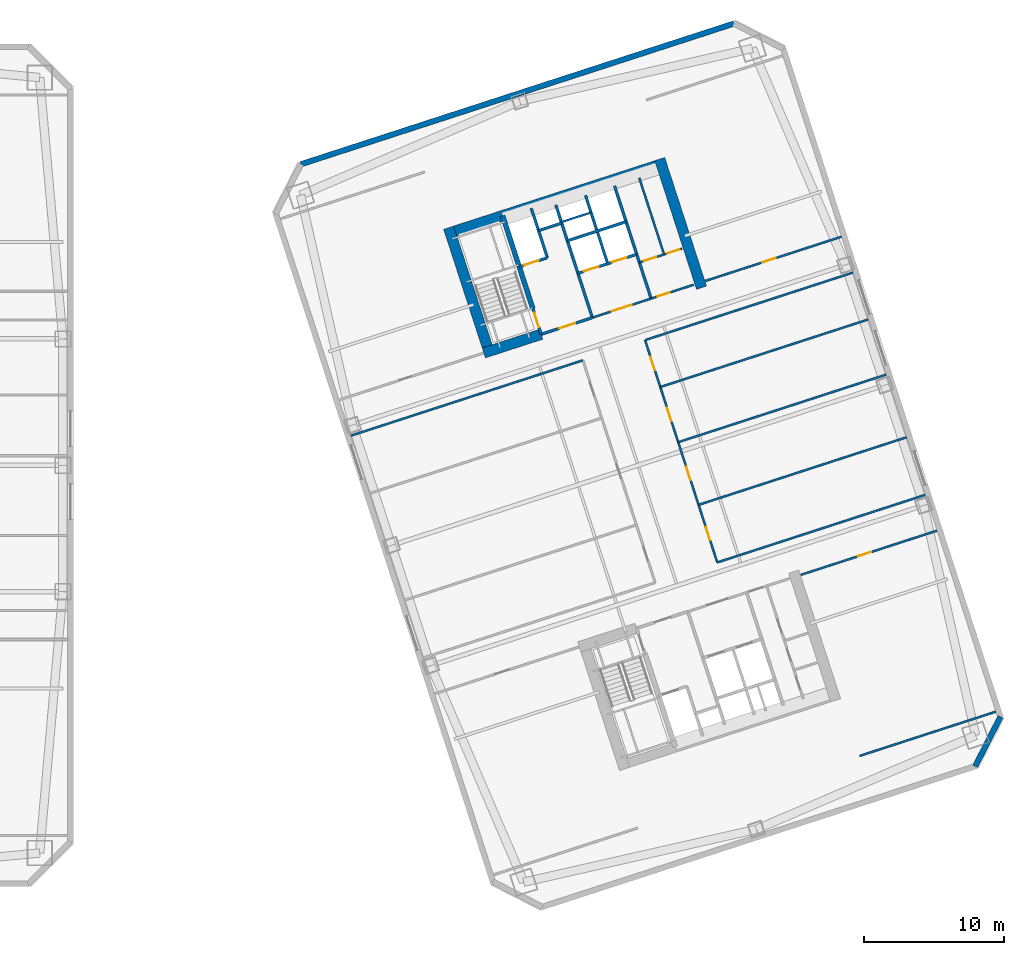
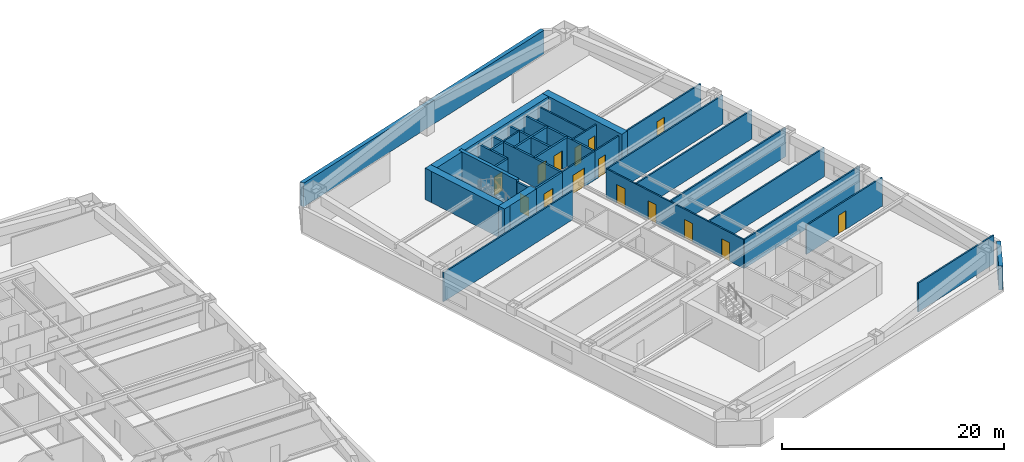
# One storey, part 8 of 11: 32 walls, 15 doors, 15 openings.
"""IFC4 building model written with IfcOpenShell, lengths in metres."""

import ifcopenshell
import ifcopenshell.guid

model = None  # the IFC model being written
_history = None  # IfcOwnerHistory: only IFC2X3 demands one
_inside = {}  # id of a spatial element -> (the spatial element, [elements in it])
_under = {}  # id of a project, library or spatial element -> (it, [spatial elements below it])
_declared = {}  # id of a project -> (the project, [libraries it declares])
_typed = {}  # id of a type object -> (the type object, [elements of that type])
_made_of = {}  # id of a material, layer set ... -> (it, [elements and type objects made of it])


def new_model(schema):
    """Start an empty IFC model of exactly this schema.

    Asked for "IFC4X3", IfcOpenShell would pick the latest addendum, in which some entities
    have other attributes; the version numbers below select the first issue.
    IFC2X3 requires an IfcOwnerHistory on every rooted entity: one is made here for all.
    """
    global model, _history
    if schema == "IFC4X3":
        model = ifcopenshell.file(schema_version=(4, 3, 0, 0))
    else:
        model = ifcopenshell.file(schema=schema)
    _inside.clear()
    _under.clear()
    _declared.clear()
    _typed.clear()
    _made_of.clear()
    _history = None
    if model.schema == "IFC2X3":
        org = make("IfcOrganization", Name="unknown")
        user = make(
            "IfcPersonAndOrganization",
            ThePerson=make("IfcPerson", FamilyName="unknown"),
            TheOrganization=org,
        )
        app = make(
            "IfcApplication",
            ApplicationDeveloper=org,
            Version="unknown",
            ApplicationFullName="unknown",
            ApplicationIdentifier="unknown",
        )
        _history = make(
            "IfcOwnerHistory",
            OwningUser=user,
            OwningApplication=app,
            ChangeAction="ADDED",
            CreationDate=0,
        )
    return model


def make(cls, **values):
    """One entity of the class cls with the attributes given. An attribute that is None is left unset."""
    return model.create_entity(
        cls, **{name: value for name, value in values.items() if value is not None}
    )


def rooted(cls, **values):
    """An entity with a GlobalId (a new one), such as an element, a storey or a relation."""
    return make(cls, GlobalId=ifcopenshell.guid.new(), OwnerHistory=_history, **values)


def si_unit(unit_type, name, prefix=None):
    """IfcSIUnit, for example si_unit("LENGTHUNIT", "METRE", prefix="MILLI")."""
    return make("IfcSIUnit", UnitType=unit_type, Prefix=prefix, Name=name)


def assignment(units):
    """IfcUnitAssignment: the units of a project."""
    return None if units is None else make("IfcUnitAssignment", Units=units)


def point(xyz):
    """IfcCartesianPoint."""
    return None if xyz is None else make("IfcCartesianPoint", Coordinates=xyz)


def direction(xyz):
    """IfcDirection."""
    return None if xyz is None else make("IfcDirection", DirectionRatios=xyz)


def frame(location, z_axis=None, x_axis=None):
    """IfcAxis2Placement3D, a coordinate frame: its origin and axes. An axis left out is left unset."""
    return make(
        "IfcAxis2Placement3D",
        Location=point(location),
        Axis=direction(z_axis),
        RefDirection=direction(x_axis),
    )


def frame_2d(location, x_axis=None):
    """IfcAxis2Placement2D, a coordinate frame in the plane: its origin and x axis."""
    return make(
        "IfcAxis2Placement2D", Location=point(location), RefDirection=direction(x_axis)
    )


def origin():
    """The frame at (0, 0, 0) with its axes left unset."""
    return frame((0.0, 0.0, 0.0))


def place(relative_to, where):
    """IfcLocalPlacement: puts the frame where relative to a parent placement (None: the world)."""
    return make(
        "IfcLocalPlacement", PlacementRelTo=relative_to, RelativePlacement=where
    )


def context(
    kind, dimensions, precision=None, world=None, true_north=None, identifier=None
):
    """IfcGeometricRepresentationContext, for example the 3D "Model" context."""
    return make(
        "IfcGeometricRepresentationContext",
        ContextIdentifier=identifier,
        ContextType=kind,
        CoordinateSpaceDimension=dimensions,
        Precision=precision,
        WorldCoordinateSystem=world,
        TrueNorth=true_north,
    )


def subcontext(parent, identifier, kind, view, scale=None):
    """IfcGeometricRepresentationSubContext, for example "Body" below "Model"."""
    return make(
        "IfcGeometricRepresentationSubContext",
        ContextIdentifier=identifier,
        ContextType=kind,
        ParentContext=parent,
        TargetScale=scale,
        TargetView=view,
    )


def project(units=None, contexts=None):
    """IfcProject with its units and contexts."""
    return rooted(
        "IfcProject",
        Name="project",
        RepresentationContexts=contexts,
        UnitsInContext=assignment(units),
    )


def spatial(cls, under=None, at=None, **own):
    """A site, building, storey or space (cls), placed at a placement, below another one or the project."""
    s = rooted(cls, ObjectPlacement=at, **own)
    if under is not None:
        _under.setdefault(under.id(), (under, []))[1].append(s)
    return s


def profile(cls, at=None, kind="AREA", **sizes):
    """A parametric profile (cls). Its sizes go by their IFC names, for example OverallWidth=200.0."""
    return make(cls, ProfileType=kind, Position=at, **sizes)


def rectangle(**sizes):
    """IfcRectangleProfileDef."""
    return profile("IfcRectangleProfileDef", **sizes)


def extrude(swept, where, along, depth):
    """IfcExtrudedAreaSolid: the profile swept, set in the frame where, extruded along a direction by depth."""
    return make(
        "IfcExtrudedAreaSolid",
        SweptArea=swept,
        Position=where,
        ExtrudedDirection=direction(along),
        Depth=depth,
    )


def shape(context_of_items, identifier, shape_type, items):
    """IfcShapeRepresentation: the items that make up one representation, for example the "Body"."""
    return make(
        "IfcShapeRepresentation",
        ContextOfItems=context_of_items,
        RepresentationIdentifier=identifier,
        RepresentationType=shape_type,
        Items=items,
    )


def material(Name=None, Category=None):
    """IfcMaterial."""
    return make("IfcMaterial", Name=Name, Category=Category)


def layer(
    of_material, thickness, ventilated=None, Name=None, Category=None, Priority=None
):
    """IfcMaterialLayer: one layer of a wall or slab, of a material (None: an air gap)."""
    return make(
        "IfcMaterialLayer",
        Material=of_material,
        LayerThickness=thickness,
        IsVentilated=ventilated,
        Name=Name,
        Category=Category,
        Priority=Priority,
    )


def layer_set(layers, Name=None):
    """IfcMaterialLayerSet."""
    return make("IfcMaterialLayerSet", MaterialLayers=layers, LayerSetName=Name)


def made_of(thing, what):
    """Note that an element or type object is made of a material, layer set ...; save() writes the relation."""
    if what is not None:
        _made_of.setdefault(what.id(), (what, []))[1].append(thing)
    return thing


def type_object(cls, material=None, **own):
    """A type object (cls), such as IfcWallType, which elements share."""
    return made_of(rooted(cls, **own), material)


def element(
    cls,
    number,
    at=None,
    inside=None,
    cuts=None,
    type_object=None,
    material=None,
    context=None,
    identifier="Body",
    shape_type=None,
    held_by="IfcProductDefinitionShape",
    body=None,
    shapes=None,
    **own,
):
    """One element of the class cls, such as IfcWall. Its Tag is "e" and its number.

    at: its placement. inside: the storey or other place that contains it. cuts: it is an
    opening in that element (IfcRelVoidsElement). A single representation is given by context,
    identifier, shape_type and body (its items); several are given by shapes. held_by: the class
    of the entity that holds the representations. save() writes the other relations.
    """
    e = rooted(cls, Tag="e%d" % number, ObjectPlacement=at, **own)
    if body is not None:
        shapes = [shape(context, identifier, shape_type, body)]
    if shapes is not None:
        e.Representation = make(held_by, Representations=shapes)
    if inside is not None:
        _inside.setdefault(inside.id(), (inside, []))[1].append(e)
    if cuts is not None:
        rooted(
            "IfcRelVoidsElement", RelatingBuildingElement=cuts, RelatedOpeningElement=e
        )
    if type_object is not None:
        _typed.setdefault(type_object.id(), (type_object, []))[1].append(e)
    return made_of(e, material)


def fill(opening, filler):
    """IfcRelFillsElement: the door or window that sits in an opening."""
    return rooted(
        "IfcRelFillsElement",
        RelatingOpeningElement=opening,
        RelatedBuildingElement=filler,
    )


def aggregate(whole, parts):
    """IfcRelAggregates: a whole, such as a stair, and the parts it consists of."""
    return rooted("IfcRelAggregates", RelatingObject=whole, RelatedObjects=parts)


def save(model, path):
    """Write the relations noted so far, then the file.

    IfcRelAggregates (storeys below a building ...), IfcRelContainedInSpatialStructure (elements
    in a storey), IfcRelDefinesByType, IfcRelAssociatesMaterial and IfcRelDeclares: one each for
    every whole, place, type object, material and project.
    """
    for whole, parts in _under.values():
        aggregate(whole, parts)
    for where, things in _inside.values():
        rooted(
            "IfcRelContainedInSpatialStructure",
            RelatedElements=things,
            RelatingStructure=where,
        )
    for kind, things in _typed.values():
        rooted("IfcRelDefinesByType", RelatedObjects=things, RelatingType=kind)
    for what, things in _made_of.values():
        rooted("IfcRelAssociatesMaterial", RelatedObjects=things, RelatingMaterial=what)
    for by, libraries in _declared.values():
        rooted("IfcRelDeclares", RelatingContext=by, RelatedDefinitions=libraries)
    model.write(path)


model = new_model("IFC4")

# Units and contexts
model_context = context("Model", 3, precision=1e-05, world=origin(), true_north=direction((0.0, 1.0)))
body_context = subcontext(model_context, "Body", "Model", "MODEL_VIEW")
ifc_project = project(units=[si_unit("LENGTHUNIT", "METRE"), si_unit("AREAUNIT", "SQUARE_METRE"), si_unit("VOLUMEUNIT", "CUBIC_METRE"), si_unit("PLANEANGLEUNIT", "RADIAN"), si_unit("MASSUNIT", "GRAM", prefix="KILO")], contexts=[model_context])

# Site, building, storey
site_placement = place(None, origin())
site = spatial("IfcSite", under=ifc_project, at=site_placement, CompositionType="ELEMENT")
building_placement = place(site_placement, origin())
building = spatial("IfcBuilding", under=site, at=building_placement, Name="Qiaolan Cultural Towers", CompositionType="ELEMENT")
storey_placement = place(building_placement, frame((0.0, 0.0, 64.39990234375)))
storey = spatial("IfcBuildingStorey", under=building, at=storey_placement, Name="L15", CompositionType="ELEMENT", Elevation=64.39990234375)

# Walls
ifc_material_1 = material(Name="Concrete C50", Category="concrete")
ifc_layer_1 = layer(ifc_material_1, 0.35009765625)
ifc_layer_set_1 = layer_set([ifc_layer_1], Name="Concrete C50")
wall_type_1 = type_object("IfcWallType", Name="WL-CORE-350", PredefinedType="SHEAR", material=ifc_layer_set_1)
wall_1_placement = place(storey_placement, frame((82.513671875, 45.13134765625, 0.0), z_axis=(0.0, 0.0, 1.0), x_axis=(-0.308988790936, 0.951065679686, 0.0)))
element("IfcWall", 1, at=wall_1_placement, inside=storey, type_object=wall_type_1, Name="L15 T2-CN Stair Core Dividing Web", PredefinedType="SHEAR", context=body_context, shape_type="SweptSolid", body=[
    extrude(rectangle(XDim=6.97998046875, YDim=0.35009765625, at=frame_2d((3.489990234375, 0.0))), origin(), (0.0, 0.0, 1.0), 3.4501953125),
])
ifc_material_2 = material(Name="Concrete C60", Category="concrete")
ifc_layer_2 = layer(ifc_material_2, 0.75)
ifc_layer_set_2 = layer_set([ifc_layer_2], Name="Concrete C60")
wall_type_2 = type_object("IfcWallType", Name="WL-CORE-750", PredefinedType="SHEAR", material=ifc_layer_set_2)
wall_2_placement = place(storey_placement, frame((76.27197265625, 50.442626953125, 0.0), z_axis=(0.0, 0.0, 1.0), x_axis=(0.951056072937, 0.309018358888, 0.0)))
element("IfcWall", 2, at=wall_2_placement, inside=storey, type_object=wall_type_2, Name="L15 T2-CN Outer Core Shear Wall", PredefinedType="SHEAR", context=body_context, shape_type="SweptSolid", body=[
    extrude(rectangle(XDim=16.550048828125, YDim=0.75, at=frame_2d((8.27490234375, 0.0))), origin(), (0.0, 0.0, 1.0), 3.4501953125),
])
for number, where, z_axis, x_axis, name in (
    (3, (79.48876953125, 41.75634765625, 0.0), (0.0, 0.0, 1.0), (-0.309016134813, 0.951056795583, 0.0), "L15 T2-CN West Core Shear Wall"),
    (4, (94.515380859375, 46.638916015625, 0.0), (0.0, 0.0, 1.0), (-0.309016134813, 0.951056795583, 0.0), "L15 T2-CN East Core Shear Wall"),
):
    element("IfcWall", number, at=place(storey_placement, frame(where, z_axis=z_axis, x_axis=x_axis)), inside=storey, type_object=wall_type_2, Name=name, PredefinedType="SHEAR", context=body_context, shape_type="SweptSolid", body=[
        extrude(rectangle(XDim=9.630126953125, YDim=0.75, at=frame_2d((4.81494140625, 0.0))), origin(), (0.0, 0.0, 1.0), 3.4501953125),
    ])
wall_3_placement = place(storey_placement, frame((79.01611328125, 41.997314453125, 0.0), z_axis=(0.0, 0.0, 1.0), x_axis=(0.95106038264, 0.309005094736, 0.0)))
element("IfcWall", 5, at=wall_3_placement, inside=storey, type_object=wall_type_2, Name="L15 T2-CN Stair Front Shear Wall", PredefinedType="SHEAR", context=body_context, shape_type="SweptSolid", body=[
    extrude(rectangle(XDim=4.294921875, YDim=0.75, at=frame_2d((2.1474609375, 0.0))), origin(), (0.0, 0.0, 1.0), 3.4501953125),
])
ifc_material_3 = material(Name="Precast Concrete C50 Honed Stone Pier", Category="masonry")
ifc_layer_3 = layer(ifc_material_3, 0.39990234375)
ifc_layer_set_3 = layer_set([ifc_layer_3], Name="Precast Concrete C50 Honed Stone Pier")
wall_type_3 = type_object("IfcWallType", Name="WL-EXT-PIER-400", PredefinedType="SOLIDWALL", material=ifc_layer_set_3)
wall_4_placement = place(storey_placement, frame((66.002197265625, 55.433349609375, 0.0), z_axis=(0.0, 0.0, 1.0), x_axis=(0.951055939317, 0.309018770125, 0.0)))
element("IfcWall", 6, at=wall_4_placement, inside=storey, type_object=wall_type_3, Name="L15 East Tower Precast Pier Facade Wall F3", PredefinedType="SOLIDWALL", context=body_context, shape_type="SweptSolid", body=[
    extrude(rectangle(XDim=32.39990234375, YDim=0.39990234375, at=frame_2d((16.199951171875, 0.0))), origin(), (0.0, 0.0, 1.0), 2.610107421875),
])
wall_5_placement = place(storey_placement, frame((115.79541015625, 16.094970703125, 0.0), z_axis=(0.0, 0.0, 1.0), x_axis=(-0.453958106755, -0.891023028497, 0.0)))
element("IfcWall", 7, at=wall_5_placement, inside=storey, type_object=wall_type_3, Name="L15 East Tower Precast Pier Facade Wall F6", PredefinedType="SOLIDWALL", context=body_context, shape_type="SweptSolid", body=[
    extrude(rectangle(XDim=3.9599609375, YDim=0.39990234375, at=frame_2d((1.97998046875, 0.0))), origin(), (0.0, 0.0, 1.0), 2.610107421875),
])

# Wall, opening, door
ifc_material_4 = material(Name="Concrete C35 Fire Wall", Category="concrete")
ifc_layer_4 = layer(ifc_material_4, 0.199951171875)
ifc_layer_set_4 = layer_set([ifc_layer_4], Name="Concrete C35 Fire Wall")
wall_type_4 = type_object("IfcWallType", Name="WL-FIRE-200", PredefinedType="PARTITIONING", material=ifc_layer_set_4)
wall_6_placement = place(storey_placement, frame((83.100830078125, 43.324462890625, 0.0), z_axis=(0.0, 0.0, 1.0), x_axis=(-0.309048298632, 0.951046344356, 0.0)))
wall_6 = element("IfcWall", 8, at=wall_6_placement, inside=storey, type_object=wall_type_4, Name="L15 T2-CN Smokeproof Stair Entry Wall", PredefinedType="PARTITIONING", context=body_context, shape_type="SweptSolid", body=[
    extrude(rectangle(XDim=1.89990234375, YDim=0.199951171875, at=frame_2d((0.949951171875, 0.0))), origin(), (0.0, 0.0, 1.0), 3.175048828125),
])
opening_1_placement = place(wall_6_placement, frame((0.52001953125, 0.0, 0.0)))
opening_1 = element("IfcOpeningElement", 9, at=opening_1_placement, cuts=wall_6, Name="Opening FD-04", PredefinedType="OPENING", context=body_context, shape_type="SweptSolid", body=[
    extrude(rectangle(XDim=1.10009765625, YDim=2.050048828125, at=frame_2d((0.550048828125, 1.02490234375))), frame((0.0, 0.10986328125, 0.0), z_axis=(0.0, -1.0, 0.0), x_axis=(1.0, 0.0, 0.0)), (0.0, 0.0, 1.0), 0.219970703125),
])
ifc_material_5 = material(Name="Galvanized Steel Command Fire Door", Category="steel")
door_type_1 = type_object("IfcDoorType", Name="DR-FD90-1100", OperationType="NOTDEFINED", PredefinedType="DOOR", material=ifc_material_5)
door_1_placement = place(opening_1_placement, origin())
door_1 = element("IfcDoor", 10, at=door_1_placement, inside=storey, type_object=door_type_1, Name="L15 ST-E2 Smokeproof Stair Fire Door", OperationType="SINGLE_SWING_LEFT", OverallHeight=2.050048828125, OverallWidth=1.10009765625, PredefinedType="DOOR", context=body_context, shape_type="SweptSolid", body=[
    extrude(rectangle(XDim=1.10009765625, YDim=2.050048828125, at=frame_2d((0.550048828125, 1.02490234375))), frame((0.0, 0.02490234375, 0.0), z_axis=(0.0, -1.0, 0.0), x_axis=(1.0, 0.0, 0.0)), (0.0, 0.0, 1.0), 0.050048828125),
])
fill(opening_1, door_1)

# Wall
wall_7_placement = place(storey_placement, frame((86.743408203125, 44.508056640625, 0.0), z_axis=(0.0, 0.0, 1.0), x_axis=(-0.309016001439, 0.951056838919, 0.0)))
element("IfcWall", 11, at=wall_7_placement, inside=storey, type_object=wall_type_4, Name="L15 T2-CN Firefighting Zone Wall", PredefinedType="PARTITIONING", context=body_context, shape_type="SweptSolid", body=[
    extrude(rectangle(XDim=8.429931640625, YDim=0.199951171875, at=frame_2d((4.21484375, 0.0))), origin(), (0.0, 0.0, 1.0), 3.175048828125),
])

# Wall, opening, door
wall_8_placement = place(storey_placement, frame((83.100830078125, 43.324462890625, 0.0), z_axis=(0.0, 0.0, 1.0), x_axis=(0.951052804469, 0.309028417967, 0.0)))
wall_8 = element("IfcWall", 12, at=wall_8_placement, inside=storey, type_object=wall_type_4, Name="L15 T2-CN Firefighting Lobby Front Wall", PredefinedType="PARTITIONING", context=body_context, shape_type="SweptSolid", body=[
    extrude(rectangle(XDim=3.830078125, YDim=0.199951171875, at=frame_2d((1.9150390625, 0.0))), origin(), (0.0, 0.0, 1.0), 3.175048828125),
])
opening_2_placement = place(wall_8_placement, frame((1.35009765625, 0.0, 0.0)))
opening_2 = element("IfcOpeningElement", 13, at=opening_2_placement, cuts=wall_8, Name="Opening FD-03", PredefinedType="OPENING", context=body_context, shape_type="SweptSolid", body=[
    extrude(rectangle(XDim=1.199951171875, YDim=2.050048828125, at=frame_2d((0.60009765625, 1.02490234375))), frame((0.0, 0.10986328125, 0.0), z_axis=(0.0, -1.0, 0.0), x_axis=(1.0, 0.0, 0.0)), (0.0, 0.0, 1.0), 0.219970703125),
])
ifc_material_6 = material(Name="Galvanized Steel Smokeproof Lobby Fire Door", Category="steel")
door_type_2 = type_object("IfcDoorType", Name="DR-FD90-1200", OperationType="NOTDEFINED", PredefinedType="DOOR", material=ifc_material_6)
door_2_placement = place(opening_2_placement, origin())
door_2 = element("IfcDoor", 14, at=door_2_placement, inside=storey, type_object=door_type_2, Name="L15 FFL-E2 Firefighting Lobby Fire Door", OperationType="SINGLE_SWING_LEFT", OverallHeight=2.050048828125, OverallWidth=1.199951171875, PredefinedType="DOOR", context=body_context, shape_type="SweptSolid", body=[
    extrude(rectangle(XDim=1.199951171875, YDim=2.050048828125, at=frame_2d((0.60009765625, 1.02490234375))), frame((0.0, 0.02490234375, 0.0), z_axis=(0.0, -1.0, 0.0), x_axis=(1.0, 0.0, 0.0)), (0.0, 0.0, 1.0), 0.050048828125),
])
fill(opening_2, door_2)

wall_9_placement = place(storey_placement, frame((81.540283203125, 48.127197265625, 0.0), z_axis=(0.0, 0.0, 1.0), x_axis=(0.951062257173, 0.308999325213, 0.0)))
wall_9 = element("IfcWall", 15, at=wall_9_placement, inside=storey, type_object=wall_type_4, Name="L15 T2-CN Firefighting Shaft Front Wall", PredefinedType="PARTITIONING", context=body_context, shape_type="SweptSolid", body=[
    extrude(rectangle(XDim=2.10009765625, YDim=0.199951171875, at=frame_2d((1.050048828125, 0.0))), origin(), (0.0, 0.0, 1.0), 3.175048828125),
])
opening_3_placement = place(wall_9_placement, frame((0.35009765625, 0.0, 0.0)))
opening_3 = element("IfcOpeningElement", 16, at=opening_3_placement, cuts=wall_9, Name="Opening LD-01", PredefinedType="OPENING", context=body_context, shape_type="SweptSolid", body=[
    extrude(rectangle(XDim=1.10009765625, YDim=2.050048828125, at=frame_2d((0.550048828125, 1.02490234375))), frame((0.0, 0.10986328125, 0.0), z_axis=(0.0, -1.0, 0.0), x_axis=(1.0, 0.0, 0.0)), (0.0, 0.0, 1.0), 0.219970703125),
])
ifc_material_7 = material(Name="Brushed Stainless Steel S30408 Centre-Parting Lift Landing Door", Category="steel")
door_type_3 = type_object("IfcDoorType", Name="DR-LIFT-1100", OperationType="NOTDEFINED", PredefinedType="DOOR", material=ifc_material_7)
door_3_placement = place(opening_3_placement, origin())
door_3 = element("IfcDoor", 17, at=door_3_placement, inside=storey, type_object=door_type_3, Name="L15 FFL-E2 Firefighting Lift Landing Door", OperationType="DOUBLE_DOOR_SLIDING", OverallHeight=2.050048828125, OverallWidth=1.10009765625, PredefinedType="DOOR", context=body_context, shape_type="SweptSolid", body=[
    extrude(rectangle(XDim=1.10009765625, YDim=2.050048828125, at=frame_2d((0.550048828125, 1.02490234375))), frame((0.0, 0.02490234375, 0.0), z_axis=(0.0, -1.0, 0.0), x_axis=(1.0, 0.0, 0.0)), (0.0, 0.0, 1.0), 0.050048828125),
])
fill(opening_3, door_3)

# Walls
wall_10_placement = place(storey_placement, frame((83.53759765625, 48.776123046875, 0.0), z_axis=(0.0, 0.0, 1.0), x_axis=(-0.3089935693, 0.951064127245, 0.0)))
element("IfcWall", 18, at=wall_10_placement, inside=storey, type_object=wall_type_4, Name="L15 T2-CN Firefighting Hoistway East Wall", PredefinedType="PARTITIONING", context=body_context, shape_type="SweptSolid", body=[
    extrude(rectangle(XDim=3.7001953125, YDim=0.199951171875, at=frame_2d((1.85009765625, 0.0))), origin(), (0.0, 0.0, 1.0), 3.175048828125),
])
wall_11_placement = place(storey_placement, frame((82.910400390625, 50.706787109375, 0.0), z_axis=(0.0, 0.0, 1.0), x_axis=(0.951041328149, 0.309063734775, 0.0)))
element("IfcWall", 19, at=wall_11_placement, inside=storey, type_object=wall_type_4, Name="L15 T2-CN Pressurization Shaft Front Wall", PredefinedType="PARTITIONING", context=body_context, shape_type="SweptSolid", body=[
    extrude(rectangle(XDim=1.72998046875, YDim=0.199951171875, at=frame_2d((0.864990234375, 0.0))), origin(), (0.0, 0.0, 1.0), 3.175048828125),
])
wall_12_placement = place(storey_placement, frame((90.92822265625, 45.86767578125, 0.0), z_axis=(0.0, 0.0, 1.0), x_axis=(-0.309042196757, 0.951048327176, 0.0)))
element("IfcWall", 20, at=wall_12_placement, inside=storey, type_object=wall_type_4, Name="L15 T2-CN Lift Core East Wall", PredefinedType="PARTITIONING", context=body_context, shape_type="SweptSolid", body=[
    extrude(rectangle(XDim=8.429931640625, YDim=0.199951171875, at=frame_2d((4.21484375, 0.0))), origin(), (0.0, 0.0, 1.0), 3.175048828125),
])

# Wall, openings, doors
wall_13_placement = place(storey_placement, frame((85.717529296875, 47.66552734375, 0.0), z_axis=(0.0, 0.0, 1.0), x_axis=(0.951058531764, 0.30901079133, 0.0)))
wall_13 = element("IfcWall", 21, at=wall_13_placement, inside=storey, type_object=wall_type_4, Name="L15 T2-CN Passenger Lift Shaft Front Wall", PredefinedType="PARTITIONING", context=body_context, shape_type="SweptSolid", body=[
    extrude(rectangle(XDim=4.39990234375, YDim=0.199951171875, at=frame_2d((2.199951171875, 0.0))), origin(), (0.0, 0.0, 1.0), 3.175048828125),
])
opening_4_placement = place(wall_13_placement, frame((0.449951171875, 0.0, 0.0)))
opening_4 = element("IfcOpeningElement", 22, at=opening_4_placement, cuts=wall_13, Name="Opening LD-01", PredefinedType="OPENING", context=body_context, shape_type="SweptSolid", body=[
    extrude(rectangle(XDim=1.10009765625, YDim=2.050048828125, at=frame_2d((0.550048828125, 1.02490234375))), frame((0.0, 0.10986328125, 0.0), z_axis=(0.0, -1.0, 0.0), x_axis=(1.0, 0.0, 0.0)), (0.0, 0.0, 1.0), 0.219970703125),
])
opening_5_placement = place(wall_13_placement, frame((2.550048828125, 0.0, 0.0)))
opening_5 = element("IfcOpeningElement", 23, at=opening_5_placement, cuts=wall_13, Name="Opening LD-01", PredefinedType="OPENING", context=body_context, shape_type="SweptSolid", body=[
    extrude(rectangle(XDim=1.10009765625, YDim=2.050048828125, at=frame_2d((0.550048828125, 1.02490234375))), frame((0.0, 0.10986328125, 0.0), z_axis=(0.0, -1.0, 0.0), x_axis=(1.0, 0.0, 0.0)), (0.0, 0.0, 1.0), 0.219970703125),
])
door_4_placement = place(opening_4_placement, origin())
door_4 = element("IfcDoor", 24, at=door_4_placement, inside=storey, type_object=door_type_3, Name="L15 Passenger Lift 1 Landing Door", OperationType="DOUBLE_DOOR_SLIDING", OverallHeight=2.050048828125, OverallWidth=1.10009765625, PredefinedType="DOOR", context=body_context, shape_type="SweptSolid", body=[
    extrude(rectangle(XDim=1.10009765625, YDim=2.050048828125, at=frame_2d((0.550048828125, 1.02490234375))), frame((0.0, 0.02490234375, 0.0), z_axis=(0.0, -1.0, 0.0), x_axis=(1.0, 0.0, 0.0)), (0.0, 0.0, 1.0), 0.050048828125),
])
fill(opening_4, door_4)
door_5_placement = place(opening_5_placement, origin())
door_5 = element("IfcDoor", 25, at=door_5_placement, inside=storey, type_object=door_type_3, Name="L15 Passenger Lift 2 Landing Door", OperationType="DOUBLE_DOOR_SLIDING", OverallHeight=2.050048828125, OverallWidth=1.10009765625, PredefinedType="DOOR", context=body_context, shape_type="SweptSolid", body=[
    extrude(rectangle(XDim=1.10009765625, YDim=2.050048828125, at=frame_2d((0.550048828125, 1.02490234375))), frame((0.0, 0.02490234375, 0.0), z_axis=(0.0, -1.0, 0.0), x_axis=(1.0, 0.0, 0.0)), (0.0, 0.0, 1.0), 0.050048828125),
])
fill(opening_5, door_5)

# Walls
wall_14_placement = place(storey_placement, frame((87.83837890625, 48.3544921875, 0.0), z_axis=(0.0, 0.0, 1.0), x_axis=(-0.3090093719, 0.951058992953, 0.0)))
element("IfcWall", 26, at=wall_14_placement, inside=storey, type_object=wall_type_4, Name="L15 T2-CN Lift Shaft Divider Wall", PredefinedType="PARTITIONING", context=body_context, shape_type="SweptSolid", body=[
    extrude(rectangle(XDim=5.110107421875, YDim=0.199951171875, at=frame_2d((2.55517578125, 0.0))), origin(), (0.0, 0.0, 1.0), 3.175048828125),
])
wall_15_placement = place(storey_placement, frame((84.966552734375, 49.9765625, 0.0), z_axis=(0.0, 0.0, 1.0), x_axis=(0.951063829732, 0.308994485023, 0.0)))
element("IfcWall", 27, at=wall_15_placement, inside=storey, type_object=wall_type_4, Name="L15 T2-CN Passenger Lift Shaft Back Wall", PredefinedType="PARTITIONING", context=body_context, shape_type="SweptSolid", body=[
    extrude(rectangle(XDim=4.400146484375, YDim=0.199951171875, at=frame_2d((2.2001953125, 0.0))), origin(), (0.0, 0.0, 1.0), 3.175048828125),
])

# Wall, opening, door
ifc_material_8 = material(Name="Autoclaved Aerated Concrete Block B06", Category="concrete")
ifc_layer_5 = layer(ifc_material_8, 0.14990234375)
ifc_layer_set_5 = layer_set([ifc_layer_5], Name="Autoclaved Aerated Concrete Block B06")
wall_type_5 = type_object("IfcWallType", Name="WL-PART-150", PredefinedType="PARTITIONING", material=ifc_layer_set_5)
wall_16_placement = place(storey_placement, frame((86.743408203125, 44.508056640625, 0.0), z_axis=(0.0, 0.0, 1.0), x_axis=(0.951063829732, 0.308994485023, 0.0)))
wall_16 = element("IfcWall", 28, at=wall_16_placement, inside=storey, type_object=wall_type_5, Name="L15 T2-CN Passenger Lift Lobby Front Wall", PredefinedType="PARTITIONING", context=body_context, shape_type="SweptSolid", body=[
    extrude(rectangle(XDim=4.400146484375, YDim=0.14990234375, at=frame_2d((2.2001953125, 0.0))), origin(), (0.0, 0.0, 1.0), 3.175048828125),
])
opening_6_placement = place(wall_16_placement, frame((1.449951171875, 0.0, 0.0)))
opening_6 = element("IfcOpeningElement", 29, at=opening_6_placement, cuts=wall_16, Name="Opening FD-05", PredefinedType="OPENING", context=body_context, shape_type="SweptSolid", body=[
    extrude(rectangle(XDim=1.5, YDim=2.050048828125, at=frame_2d((0.75, 1.02490234375))), frame((0.0, 0.0849609375, 0.0), z_axis=(0.0, -1.0, 0.0), x_axis=(1.0, 0.0, 0.0)), (0.0, 0.0, 1.0), 0.169921875),
])
ifc_material_9 = material(Name="Painted Steel Lift Lobby Fire Door", Category="steel")
door_type_4 = type_object("IfcDoorType", Name="DR-FD60-1500", OperationType="NOTDEFINED", PredefinedType="DOOR", material=ifc_material_9)
door_6_placement = place(opening_6_placement, origin())
door_6 = element("IfcDoor", 30, at=door_6_placement, inside=storey, type_object=door_type_4, Name="L15 Passenger Lift Lobby Entrance", OperationType="SINGLE_SWING_LEFT", OverallHeight=2.050048828125, OverallWidth=1.5, PredefinedType="DOOR", context=body_context, shape_type="SweptSolid", body=[
    extrude(rectangle(XDim=1.5, YDim=2.050048828125, at=frame_2d((0.75, 1.02490234375))), frame((0.0, 0.02490234375, 0.0), z_axis=(0.0, -1.0, 0.0), x_axis=(1.0, 0.0, 0.0)), (0.0, 0.0, 1.0), 0.050048828125),
])
fill(opening_6, door_6)

# Wall
wall_17_placement = place(storey_placement, frame((84.533935546875, 51.30810546875, 0.0), z_axis=(0.0, 0.0, 1.0), x_axis=(0.951075093106, 0.308959814982, 0.0)))
element("IfcWall", 31, at=wall_17_placement, inside=storey, type_object=wall_type_5, Name="L15 T2-CN Core Rear Riser Split", PredefinedType="PARTITIONING", context=body_context, shape_type="SweptSolid", body=[
    extrude(rectangle(XDim=2.22998046875, YDim=0.14990234375, at=frame_2d((1.114990234375, 0.0))), origin(), (0.0, 0.0, 1.0), 3.175048828125),
])

# Wall, opening, door
wall_18_placement = place(storey_placement, frame((90.92822265625, 45.86767578125, 0.0), z_axis=(0.0, 0.0, 1.0), x_axis=(0.951059297078, 0.309008435874, 0.0)))
wall_18 = element("IfcWall", 32, at=wall_18_placement, inside=storey, type_object=wall_type_5, Name="L15 T2-CN Sanitary Core Front Wall", PredefinedType="PARTITIONING", context=body_context, shape_type="SweptSolid", body=[
    extrude(rectangle(XDim=3.19970703125, YDim=0.14990234375, at=frame_2d((1.599853515625, 0.0))), origin(), (0.0, 0.0, 1.0), 3.175048828125),
])
opening_7_placement = place(wall_18_placement, frame((0.449951171875, 0.0, 0.0)))
opening_7 = element("IfcOpeningElement", 33, at=opening_7_placement, cuts=wall_18, Name="Opening ID-05", PredefinedType="OPENING", context=body_context, shape_type="SweptSolid", body=[
    extrude(rectangle(XDim=0.949951171875, YDim=2.050048828125, at=frame_2d((0.47509765625, 1.02490234375))), frame((0.0, 0.0849609375, 0.0), z_axis=(0.0, -1.0, 0.0), x_axis=(1.0, 0.0, 0.0)), (0.0, 0.0, 1.0), 0.169921875),
])
ifc_material_10 = material(Name="Fire-Rated Laminate Accessible Core Door", Category="timber")
door_type_5 = type_object("IfcDoorType", Name="DR-INT-950", OperationType="NOTDEFINED", PredefinedType="DOOR", material=ifc_material_10)
door_7_placement = place(opening_7_placement, origin())
door_7 = element("IfcDoor", 34, at=door_7_placement, inside=storey, type_object=door_type_5, Name="L15 Sanitary Vestibule Door", OperationType="SINGLE_SWING_LEFT", OverallHeight=2.050048828125, OverallWidth=0.949951171875, PredefinedType="DOOR", context=body_context, shape_type="SweptSolid", body=[
    extrude(rectangle(XDim=0.949951171875, YDim=2.050048828125, at=frame_2d((0.47509765625, 1.02490234375))), frame((0.0, 0.02490234375, 0.0), z_axis=(0.0, -1.0, 0.0), x_axis=(1.0, 0.0, 0.0)), (0.0, 0.0, 1.0), 0.050048828125),
])
fill(opening_7, door_7)

# Wall, openings, doors
wall_19_placement = place(storey_placement, frame((90.09375, 48.435546875, 0.0), z_axis=(0.0, 0.0, 1.0), x_axis=(0.951066581729, 0.308986014439, 0.0)))
wall_19 = element("IfcWall", 35, at=wall_19_placement, inside=storey, type_object=wall_type_5, Name="L15 T2-CN Restroom Vestibule Wall", PredefinedType="PARTITIONING", context=body_context, shape_type="SweptSolid", body=[
    extrude(rectangle(XDim=3.199951171875, YDim=0.14990234375, at=frame_2d((1.60009765625, 0.0))), origin(), (0.0, 0.0, 1.0), 3.175048828125),
])
opening_8_placement = place(wall_19_placement, frame((0.35009765625, 0.0, 0.0)))
opening_8 = element("IfcOpeningElement", 36, at=opening_8_placement, cuts=wall_19, Name="Opening ID-06", PredefinedType="OPENING", context=body_context, shape_type="SweptSolid", body=[
    extrude(rectangle(XDim=0.89990234375, YDim=2.050048828125, at=frame_2d((0.449951171875, 1.02490234375))), frame((0.0, 0.0849609375, 0.0), z_axis=(0.0, -1.0, 0.0), x_axis=(1.0, 0.0, 0.0)), (0.0, 0.0, 1.0), 0.169921875),
])
opening_9_placement = place(wall_19_placement, frame((2.10009765625, 0.0, 0.0)))
opening_9 = element("IfcOpeningElement", 37, at=opening_9_placement, cuts=wall_19, Name="Opening ID-06", PredefinedType="OPENING", context=body_context, shape_type="SweptSolid", body=[
    extrude(rectangle(XDim=0.89990234375, YDim=2.050048828125, at=frame_2d((0.449951171875, 1.02490234375))), frame((0.0, 0.0849609375, 0.0), z_axis=(0.0, -1.0, 0.0), x_axis=(1.0, 0.0, 0.0)), (0.0, 0.0, 1.0), 0.169921875),
])
ifc_material_11 = material(Name="Fire-Rated Laminate Core Service Door", Category="timber")
door_type_6 = type_object("IfcDoorType", Name="DR-INT-900", OperationType="NOTDEFINED", PredefinedType="DOOR", material=ifc_material_11)
door_8_placement = place(opening_8_placement, origin())
door_8 = element("IfcDoor", 38, at=door_8_placement, inside=storey, type_object=door_type_6, Name="L15 Men Restroom Door", OperationType="SINGLE_SWING_LEFT", OverallHeight=2.050048828125, OverallWidth=0.89990234375, PredefinedType="DOOR", context=body_context, shape_type="SweptSolid", body=[
    extrude(rectangle(XDim=0.89990234375, YDim=2.050048828125, at=frame_2d((0.449951171875, 1.02490234375))), frame((0.0, 0.02490234375, 0.0), z_axis=(0.0, -1.0, 0.0), x_axis=(1.0, 0.0, 0.0)), (0.0, 0.0, 1.0), 0.050048828125),
])
fill(opening_8, door_8)
door_9_placement = place(opening_9_placement, origin())
door_9 = element("IfcDoor", 39, at=door_9_placement, inside=storey, type_object=door_type_6, Name="L15 Accessible & Women Restroom Door", OperationType="SINGLE_SWING_RIGHT", OverallHeight=2.050048828125, OverallWidth=0.89990234375, PredefinedType="DOOR", context=body_context, shape_type="SweptSolid", body=[
    extrude(rectangle(XDim=0.89990234375, YDim=2.050048828125, at=frame_2d((0.449951171875, 1.02490234375))), frame((0.0, 0.02490234375, 0.0), z_axis=(0.0, -1.0, 0.0), x_axis=(1.0, 0.0, 0.0)), (0.0, 0.0, 1.0), 0.050048828125),
])
fill(opening_9, door_9)

# Walls
wall_20_placement = place(storey_placement, frame((91.853271484375, 49.007080078125, 0.0), z_axis=(0.0, 0.0, 1.0), x_axis=(-0.309022487551, 0.951054731437, 0.0)))
element("IfcWall", 40, at=wall_20_placement, inside=storey, type_object=wall_type_5, Name="L15 T2-CN Restroom Divider Wall", PredefinedType="PARTITIONING", context=body_context, shape_type="SweptSolid", body=[
    extrude(rectangle(XDim=5.730224609375, YDim=0.14990234375, at=frame_2d((2.865234375, 0.0))), origin(), (0.0, 0.0, 1.0), 3.175048828125),
])
wall_21_placement = place(storey_placement, frame((105.765380859375, 13.30908203125, 0.0), z_axis=(0.0, 0.0, 1.0), x_axis=(0.951054294345, 0.309023832749, 0.0)))
element("IfcWall", 41, at=wall_21_placement, inside=storey, type_object=wall_type_5, Name="L15 T2 Flank Wall FLK-SE", PredefinedType="PARTITIONING", context=body_context, shape_type="SweptSolid", body=[
    extrude(rectangle(XDim=10.2001953125, YDim=0.14990234375, at=frame_2d((5.10009765625, 0.0))), origin(), (0.0, 0.0, 1.0), 3.175048828125),
])

# Wall, opening, door
wall_22_placement = place(storey_placement, frame((101.578369140625, 26.196044921875, 0.0), z_axis=(0.0, 0.0, 1.0), x_axis=(0.951059043131, 0.309009217467, 0.0)))
wall_22 = element("IfcWall", 42, at=wall_22_placement, inside=storey, type_object=wall_type_5, Name="L15 T2 Flank Front FLK-SE", PredefinedType="PARTITIONING", context=body_context, shape_type="SweptSolid", body=[
    extrude(rectangle(XDim=10.199951171875, YDim=0.14990234375, at=frame_2d((5.10009765625, 0.0))), origin(), (0.0, 0.0, 1.0), 3.175048828125),
])
opening_10_placement = place(wall_22_placement, frame((4.283935546875, 0.0, 0.0)))
opening_10 = element("IfcOpeningElement", 43, at=opening_10_placement, cuts=wall_22, Name="Opening ID-04", PredefinedType="OPENING", context=body_context, shape_type="SweptSolid", body=[
    extrude(rectangle(XDim=1.0, YDim=2.050048828125, at=frame_2d((0.5, 1.02490234375))), frame((0.0, 0.0849609375, 0.0), z_axis=(0.0, -1.0, 0.0), x_axis=(1.0, 0.0, 0.0)), (0.0, 0.0, 1.0), 0.169921875),
])
ifc_material_12 = material(Name="Oak Veneer Acoustic Office Door", Category="timber")
door_type_7 = type_object("IfcDoorType", Name="DR-INT-1000", OperationType="NOTDEFINED", PredefinedType="DOOR", material=ifc_material_12)
door_10_placement = place(opening_10_placement, origin())
door_10 = element("IfcDoor", 44, at=door_10_placement, inside=storey, type_object=door_type_7, Name="L15 T2 Corner Studio Door", OperationType="SINGLE_SWING_LEFT", OverallHeight=2.050048828125, OverallWidth=1.0, PredefinedType="DOOR", context=body_context, shape_type="SweptSolid", body=[
    extrude(rectangle(XDim=1.0, YDim=2.050048828125, at=frame_2d((0.5, 1.02490234375))), frame((0.0, 0.02490234375, 0.0), z_axis=(0.0, -1.0, 0.0), x_axis=(1.0, 0.0, 0.0)), (0.0, 0.0, 1.0), 0.050048828125),
])
fill(opening_10, door_10)

wall_23_placement = place(storey_placement, frame((94.77978515625, 47.119140625, 0.0), z_axis=(0.0, 0.0, 1.0), x_axis=(0.951054294345, 0.309023832749, 0.0)))
wall_23 = element("IfcWall", 45, at=wall_23_placement, inside=storey, type_object=wall_type_5, Name="L15 T2 Flank Front FLK-NE", PredefinedType="PARTITIONING", context=body_context, shape_type="SweptSolid", body=[
    extrude(rectangle(XDim=10.2001953125, YDim=0.14990234375, at=frame_2d((5.10009765625, 0.0))), origin(), (0.0, 0.0, 1.0), 3.175048828125),
])
opening_11_placement = place(wall_23_placement, frame((4.283935546875, 0.0, 0.0)))
opening_11 = element("IfcOpeningElement", 46, at=opening_11_placement, cuts=wall_23, Name="Opening ID-04", PredefinedType="OPENING", context=body_context, shape_type="SweptSolid", body=[
    extrude(rectangle(XDim=1.0, YDim=2.050048828125, at=frame_2d((0.5, 1.02490234375))), frame((0.0, 0.0849609375, 0.0), z_axis=(0.0, -1.0, 0.0), x_axis=(1.0, 0.0, 0.0)), (0.0, 0.0, 1.0), 0.169921875),
])
door_11_placement = place(opening_11_placement, origin())
door_11 = element("IfcDoor", 47, at=door_11_placement, inside=storey, type_object=door_type_7, Name="L15 T2 Corner Studio Door", OperationType="SINGLE_SWING_LEFT", OverallHeight=2.050048828125, OverallWidth=1.0, PredefinedType="DOOR", context=body_context, shape_type="SweptSolid", body=[
    extrude(rectangle(XDim=1.0, YDim=2.050048828125, at=frame_2d((0.5, 1.02490234375))), frame((0.0, 0.02490234375, 0.0), z_axis=(0.0, -1.0, 0.0), x_axis=(1.0, 0.0, 0.0)), (0.0, 0.0, 1.0), 0.050048828125),
])
fill(opening_11, door_11)

# Walls
wall_24_placement = place(storey_placement, frame((95.63818359375, 27.083740234375, 0.0), z_axis=(0.0, 0.0, 1.0), x_axis=(0.951055837847, 0.309019082414, 0.0)))
element("IfcWall", 48, at=wall_24_placement, inside=storey, type_object=wall_type_5, Name="L15 T2 South Corridor Right Wall", PredefinedType="PARTITIONING", context=body_context, shape_type="SweptSolid", body=[
    extrude(rectangle(XDim=15.574951171875, YDim=0.14990234375, at=frame_2d((7.78759765625, 0.0))), origin(), (0.0, 0.0, 1.0), 3.175048828125),
])
wall_25_placement = place(storey_placement, frame((69.549072265625, 36.103271484375, 0.0), z_axis=(0.0, 0.0, 1.0), x_axis=(0.951057299418, 0.309014584159, 0.0)))
element("IfcWall", 49, at=wall_25_placement, inside=storey, type_object=wall_type_5, Name="L15 T2 North Corridor Left Wall", PredefinedType="PARTITIONING", context=body_context, shape_type="SweptSolid", body=[
    extrude(rectangle(XDim=17.375, YDim=0.14990234375, at=frame_2d((8.6875, 0.0))), origin(), (0.0, 0.0, 1.0), 3.175048828125),
])
wall_26_placement = place(storey_placement, frame((90.49609375, 42.909423828125, 0.0), z_axis=(0.0, 0.0, 1.0), x_axis=(0.951055837847, 0.309019082414, 0.0)))
element("IfcWall", 50, at=wall_26_placement, inside=storey, type_object=wall_type_5, Name="L15 T2 North Corridor Right Wall", PredefinedType="PARTITIONING", context=body_context, shape_type="SweptSolid", body=[
    extrude(rectangle(XDim=15.574951171875, YDim=0.14990234375, at=frame_2d((7.78759765625, 0.0))), origin(), (0.0, 0.0, 1.0), 3.175048828125),
])

# Wall, openings, doors
wall_27_placement = place(storey_placement, frame((95.63818359375, 27.083740234375, 0.0), z_axis=(0.0, 0.0, 1.0), x_axis=(-0.30901773025, 0.951056277195, 0.0)))
wall_27 = element("IfcWall", 51, at=wall_27_placement, inside=storey, type_object=wall_type_5, Name="L15 T2 East Spine Wall", PredefinedType="PARTITIONING", context=body_context, shape_type="SweptSolid", body=[
    extrude(rectangle(XDim=16.64013671875, YDim=0.14990234375, at=frame_2d((8.320068359375, 0.0))), origin(), (0.0, 0.0, 1.0), 3.175048828125),
])
opening_12_placement = place(wall_27_placement, frame((1.655029296875, 0.0, 0.0)))
opening_12 = element("IfcOpeningElement", 52, at=opening_12_placement, cuts=wall_27, Name="Opening ID-04", PredefinedType="OPENING", context=body_context, shape_type="SweptSolid", body=[
    extrude(rectangle(XDim=1.0, YDim=2.050048828125, at=frame_2d((0.5, 1.02490234375))), frame((0.0, 0.0849609375, 0.0), z_axis=(0.0, -1.0, 0.0), x_axis=(1.0, 0.0, 0.0)), (0.0, 0.0, 1.0), 0.169921875),
])
opening_13_placement = place(wall_27_placement, frame((6.155029296875, 0.0, 0.0)))
opening_13 = element("IfcOpeningElement", 53, at=opening_13_placement, cuts=wall_27, Name="Opening ID-04", PredefinedType="OPENING", context=body_context, shape_type="SweptSolid", body=[
    extrude(rectangle(XDim=1.0, YDim=2.050048828125, at=frame_2d((0.5, 1.02490234375))), frame((0.0, 0.0849609375, 0.0), z_axis=(0.0, -1.0, 0.0), x_axis=(1.0, 0.0, 0.0)), (0.0, 0.0, 1.0), 0.169921875),
])
opening_14_placement = place(wall_27_placement, frame((10.564697265625, 0.0, 0.0)))
opening_14 = element("IfcOpeningElement", 54, at=opening_14_placement, cuts=wall_27, Name="Opening ID-04", PredefinedType="OPENING", context=body_context, shape_type="SweptSolid", body=[
    extrude(rectangle(XDim=1.0, YDim=2.050048828125, at=frame_2d((0.5, 1.02490234375))), frame((0.0, 0.0849609375, 0.0), z_axis=(0.0, -1.0, 0.0), x_axis=(1.0, 0.0, 0.0)), (0.0, 0.0, 1.0), 0.169921875),
])
opening_15_placement = place(wall_27_placement, frame((14.384521484375, 0.0, 0.0)))
opening_15 = element("IfcOpeningElement", 55, at=opening_15_placement, cuts=wall_27, Name="Opening ID-04", PredefinedType="OPENING", context=body_context, shape_type="SweptSolid", body=[
    extrude(rectangle(XDim=1.0, YDim=2.050048828125, at=frame_2d((0.5, 1.02490234375))), frame((0.0, 0.0849609375, 0.0), z_axis=(0.0, -1.0, 0.0), x_axis=(1.0, 0.0, 0.0)), (0.0, 0.0, 1.0), 0.169921875),
])
door_12_placement = place(opening_12_placement, origin())
door_12 = element("IfcDoor", 56, at=door_12_placement, inside=storey, type_object=door_type_7, Name="L15 T2 Seminar Room Door", OperationType="SINGLE_SWING_RIGHT", OverallHeight=2.050048828125, OverallWidth=1.0, PredefinedType="DOOR", context=body_context, shape_type="SweptSolid", body=[
    extrude(rectangle(XDim=1.0, YDim=2.050048828125, at=frame_2d((0.5, 1.02490234375))), frame((0.0, 0.02490234375, 0.0), z_axis=(0.0, -1.0, 0.0), x_axis=(1.0, 0.0, 0.0)), (0.0, 0.0, 1.0), 0.050048828125),
])
fill(opening_12, door_12)
door_13_placement = place(opening_13_placement, origin())
door_13 = element("IfcDoor", 57, at=door_13_placement, inside=storey, type_object=door_type_7, Name="L15 T2 Seminar Room Door", OperationType="SINGLE_SWING_LEFT", OverallHeight=2.050048828125, OverallWidth=1.0, PredefinedType="DOOR", context=body_context, shape_type="SweptSolid", body=[
    extrude(rectangle(XDim=1.0, YDim=2.050048828125, at=frame_2d((0.5, 1.02490234375))), frame((0.0, 0.02490234375, 0.0), z_axis=(0.0, -1.0, 0.0), x_axis=(1.0, 0.0, 0.0)), (0.0, 0.0, 1.0), 0.050048828125),
])
fill(opening_13, door_13)
door_14_placement = place(opening_14_placement, origin())
door_14 = element("IfcDoor", 58, at=door_14_placement, inside=storey, type_object=door_type_7, Name="L15 T2 First-Aid Wellness Room Door", OperationType="SINGLE_SWING_RIGHT", OverallHeight=2.050048828125, OverallWidth=1.0, PredefinedType="DOOR", context=body_context, shape_type="SweptSolid", body=[
    extrude(rectangle(XDim=1.0, YDim=2.050048828125, at=frame_2d((0.5, 1.02490234375))), frame((0.0, 0.02490234375, 0.0), z_axis=(0.0, -1.0, 0.0), x_axis=(1.0, 0.0, 0.0)), (0.0, 0.0, 1.0), 0.050048828125),
])
fill(opening_14, door_14)
door_15_placement = place(opening_15_placement, origin())
door_15 = element("IfcDoor", 59, at=door_15_placement, inside=storey, type_object=door_type_7, Name="L15 T2 Design Print Shop Door", OperationType="SINGLE_SWING_LEFT", OverallHeight=2.050048828125, OverallWidth=1.0, PredefinedType="DOOR", context=body_context, shape_type="SweptSolid", body=[
    extrude(rectangle(XDim=1.0, YDim=2.050048828125, at=frame_2d((0.5, 1.02490234375))), frame((0.0, 0.02490234375, 0.0), z_axis=(0.0, -1.0, 0.0), x_axis=(1.0, 0.0, 0.0)), (0.0, 0.0, 1.0), 0.050048828125),
])
fill(opening_15, door_15)

# Walls
for number, where, z_axis, x_axis, name in (
    (60, (94.306396484375, 31.182861328125, 0.0), (0.0, 0.0, 1.0), (0.951055837847, 0.309019082414, 0.0), "L15 T2 East Partition 1"),
    (61, (92.85693359375, 35.643310546875, 0.0), (0.0, 0.0, 1.0), (0.951055837847, 0.309019082414, 0.0), "L15 T2 East Partition 2"),
    (62, (91.5810546875, 39.5703125, 0.0), (0.0, 0.0, 1.0), (0.951055837847, 0.309019082414, 0.0), "L15 T2 East Partition 3"),
):
    element("IfcWall", number, at=place(storey_placement, frame(where, z_axis=z_axis, x_axis=x_axis)), inside=storey, type_object=wall_type_5, Name=name, PredefinedType="PARTITIONING", context=body_context, shape_type="SweptSolid", body=[
        extrude(rectangle(XDim=15.574951171875, YDim=0.14990234375, at=frame_2d((7.78759765625, 0.0))), origin(), (0.0, 0.0, 1.0), 3.175048828125),
    ])

save(model, "model.ifc")
